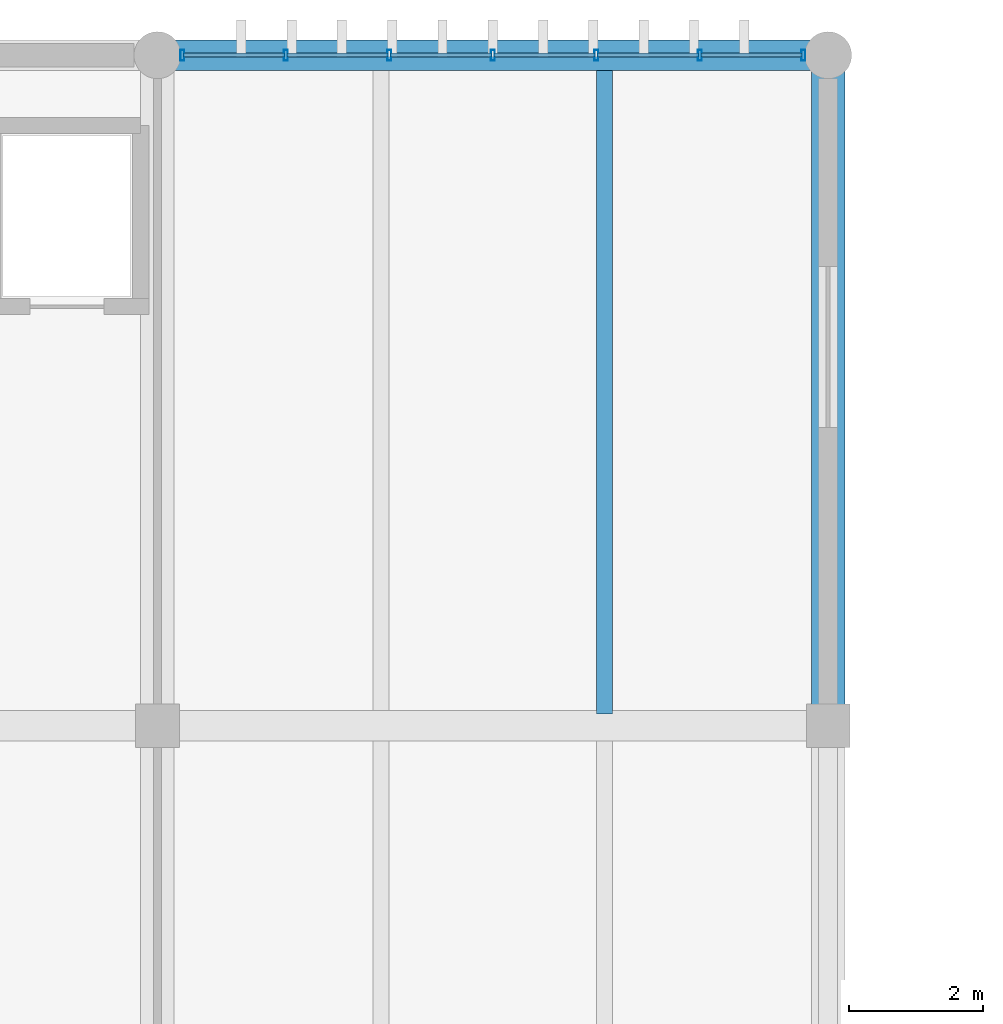
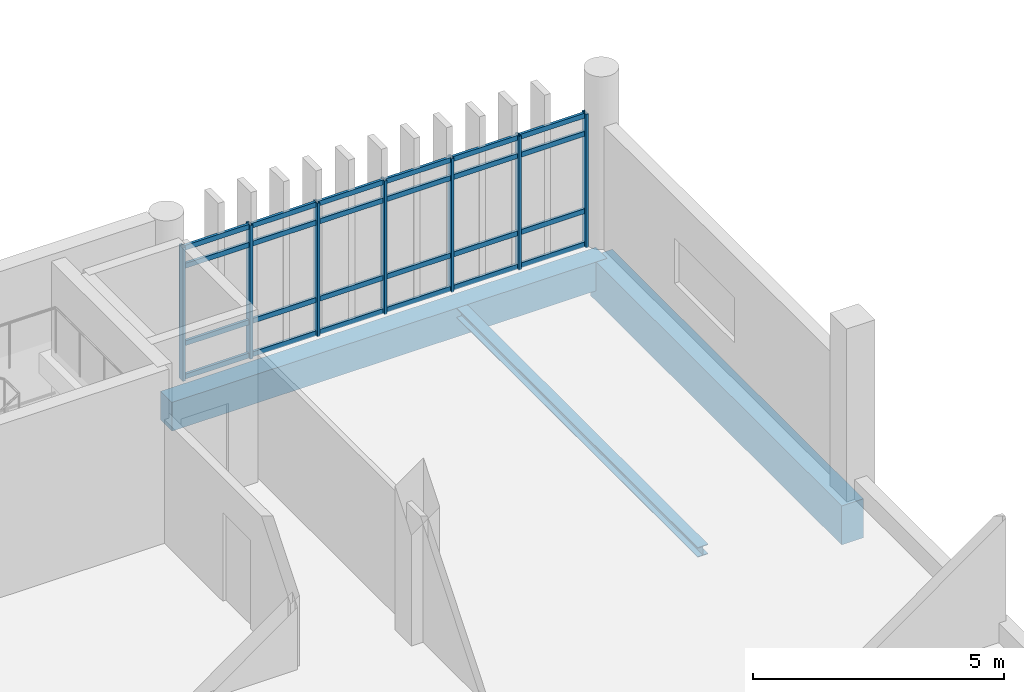
# One storey, part 41 of 82: 31 members, 3 beams, 1 element without a shape of its own.
"""IFC4 building model written with IfcOpenShell, lengths in metres."""

from ifc_helpers import new_model, si_unit, direction, frame, origin, origin_2d, place, context, subcontext, project, spatial, rectangle, hollow_rectangle, i_section, extrude, material, layer, layer_set, material_profile, profile_set, type_object, element, aggregate, save


model = new_model("IFC4")

# Units and contexts
model_context = context("Model", 3, precision=1e-05, world=origin(), true_north=direction((0.0, 1.0)))
body_context = subcontext(model_context, "Body", "Model", "MODEL_VIEW")
ifc_project = project(units=[si_unit("LENGTHUNIT", "METRE"), si_unit("AREAUNIT", "SQUARE_METRE"), si_unit("VOLUMEUNIT", "CUBIC_METRE"), si_unit("PLANEANGLEUNIT", "RADIAN"), si_unit("MASSUNIT", "GRAM", prefix="KILO")], contexts=[model_context])

# Site, building, storey
site_placement = place(None, origin())
site = spatial("IfcSite", under=ifc_project, at=site_placement, CompositionType="ELEMENT")
building_placement = place(site_placement, origin())
building = spatial("IfcBuilding", under=site, at=building_placement, Name="Mersad Railyard Sports Hall", CompositionType="ELEMENT")
storey_placement = place(building_placement, frame((0.0, 0.0, 13.199951171875)))
storey = spatial("IfcBuildingStorey", under=building, at=storey_placement, Name="L03", CompositionType="ELEMENT", Elevation=13.199951171875)

# Curtain wall, members
ifc_material_1 = material(Name="Aluminium 6063-T6", Category="aluminium")
ifc_layer = layer(ifc_material_1, 0.159912109375)
ifc_layer_set = layer_set([ifc_layer], Name="Aluminium 6063-T6")
curtain_wall_type = type_object("IfcCurtainWallType", Name="ARC-CW-CW58", PredefinedType="USERDEFINED", material=ifc_layer_set)
curtain_wall_placement = place(storey_placement, origin())
curtain_wall = element("IfcCurtainWall", 1, at=curtain_wall_placement, inside=storey, type_object=curtain_wall_type, Name="Curtain wall CW58-0154", ObjectType="CURTAIN WALL", PredefinedType="USERDEFINED")
ifc_material_profile_1 = material_profile(ifc_material_1, hollow_rectangle(XDim=0.06005859375, YDim=0.159912109375, WallThickness=0.00390625, at=origin_2d()), Name="AL MULLION 60x160x4")
ifc_profile_set_1 = profile_set([ifc_material_profile_1], Name="Aluminium 6063-T6")
member_type_1 = type_object("IfcMemberType", Name="ARC-CW-MUL01", PredefinedType="MULLION", material=ifc_profile_set_1)
member_1_placement = place(storey_placement, frame((121.3701171875, 115.0, -0.02001953125), z_axis=(0.0, 0.0, 1.0), x_axis=(1.0, 0.0, 0.0)))
member_1 = element("IfcMember", 2, at=member_1_placement, type_object=member_type_1, Name="CW58 Mullion 1", PredefinedType="MULLION", context=body_context, shape_type="SweptSolid", body=[
    extrude(hollow_rectangle(XDim=0.06005859375, YDim=0.159912109375, WallThickness=0.00390625, at=origin_2d()), origin(), (0.0, 0.0, 1.0), 3.25),
])
member_2_placement = place(storey_placement, frame((122.913330078125, 115.0, -0.02001953125), z_axis=(0.0, 0.0, 1.0), x_axis=(1.0, 0.0, 0.0)))
member_2 = element("IfcMember", 3, at=member_2_placement, type_object=member_type_1, Name="CW58 Mullion 2", PredefinedType="MULLION", context=body_context, shape_type="SweptSolid", body=[
    extrude(hollow_rectangle(XDim=0.06005859375, YDim=0.159912109375, WallThickness=0.00390625, at=origin_2d()), origin(), (0.0, 0.0, 1.0), 3.25),
])
member_3_placement = place(storey_placement, frame((124.456787109375, 115.0, -0.02001953125), z_axis=(0.0, 0.0, 1.0), x_axis=(1.0, 0.0, 0.0)))
member_3 = element("IfcMember", 4, at=member_3_placement, type_object=member_type_1, Name="CW58 Mullion 3", PredefinedType="MULLION", context=body_context, shape_type="SweptSolid", body=[
    extrude(hollow_rectangle(XDim=0.06005859375, YDim=0.159912109375, WallThickness=0.00390625, at=origin_2d()), origin(), (0.0, 0.0, 1.0), 3.25),
])
member_4_placement = place(storey_placement, frame((126.0, 115.0, -0.02001953125), z_axis=(0.0, 0.0, 1.0), x_axis=(1.0, 0.0, 0.0)))
member_4 = element("IfcMember", 5, at=member_4_placement, type_object=member_type_1, Name="CW58 Mullion 4", PredefinedType="MULLION", context=body_context, shape_type="SweptSolid", body=[
    extrude(hollow_rectangle(XDim=0.06005859375, YDim=0.159912109375, WallThickness=0.00390625, at=origin_2d()), origin(), (0.0, 0.0, 1.0), 3.25),
])
member_5_placement = place(storey_placement, frame((127.543212890625, 115.0, -0.02001953125), z_axis=(0.0, 0.0, 1.0), x_axis=(1.0, 0.0, 0.0)))
member_5 = element("IfcMember", 6, at=member_5_placement, type_object=member_type_1, Name="CW58 Mullion 5", PredefinedType="MULLION", context=body_context, shape_type="SweptSolid", body=[
    extrude(hollow_rectangle(XDim=0.06005859375, YDim=0.159912109375, WallThickness=0.00390625, at=origin_2d()), origin(), (0.0, 0.0, 1.0), 3.25),
])
member_6_placement = place(storey_placement, frame((129.086669921875, 115.0, -0.02001953125), z_axis=(0.0, 0.0, 1.0), x_axis=(1.0, 0.0, 0.0)))
member_6 = element("IfcMember", 7, at=member_6_placement, type_object=member_type_1, Name="CW58 Mullion 6", PredefinedType="MULLION", context=body_context, shape_type="SweptSolid", body=[
    extrude(hollow_rectangle(XDim=0.06005859375, YDim=0.159912109375, WallThickness=0.00390625, at=origin_2d()), origin(), (0.0, 0.0, 1.0), 3.25),
])
member_7_placement = place(storey_placement, frame((130.6298828125, 115.0, -0.02001953125), z_axis=(0.0, 0.0, 1.0), x_axis=(1.0, 0.0, 0.0)))
member_7 = element("IfcMember", 8, at=member_7_placement, type_object=member_type_1, Name="CW58 Mullion 7", PredefinedType="MULLION", context=body_context, shape_type="SweptSolid", body=[
    extrude(hollow_rectangle(XDim=0.06005859375, YDim=0.159912109375, WallThickness=0.00390625, at=origin_2d()), origin(), (0.0, 0.0, 1.0), 3.25),
])
ifc_material_profile_2 = material_profile(ifc_material_1, hollow_rectangle(XDim=0.06005859375, YDim=0.1201171875, WallThickness=0.00390625, at=origin_2d()), Name="AL TRANSOM 60x120x4")
ifc_profile_set_2 = profile_set([ifc_material_profile_2], Name="Aluminium 6063-T6")
member_type_2 = type_object("IfcMemberType", Name="ARC-CW-TRN01", PredefinedType="USERDEFINED", material=ifc_profile_set_2)
member_8_placement = place(storey_placement, frame((121.389892578125, 115.0, 0.0400390625), z_axis=(1.0, 0.0, 0.0), x_axis=(0.0, 1.0, 0.0)))
member_8 = element("IfcMember", 9, at=member_8_placement, type_object=member_type_2, Name="CW58 Transom 1-1", ObjectType="TRANSOM", PredefinedType="USERDEFINED", context=body_context, shape_type="SweptSolid", body=[
    extrude(hollow_rectangle(XDim=0.06005859375, YDim=0.1201171875, WallThickness=0.00390625, at=origin_2d()), origin(), (0.0, 0.0, 1.0), 1.50341796875),
])
member_9_placement = place(storey_placement, frame((122.933349609375, 115.0, 0.0400390625), z_axis=(1.0, 0.0, 0.0), x_axis=(0.0, 1.0, 0.0)))
member_9 = element("IfcMember", 10, at=member_9_placement, type_object=member_type_2, Name="CW58 Transom 1-2", ObjectType="TRANSOM", PredefinedType="USERDEFINED", context=body_context, shape_type="SweptSolid", body=[
    extrude(hollow_rectangle(XDim=0.06005859375, YDim=0.1201171875, WallThickness=0.00390625, at=origin_2d()), origin(), (0.0, 0.0, 1.0), 1.50341796875),
])
member_10_placement = place(storey_placement, frame((124.4765625, 115.0, 0.0400390625), z_axis=(1.0, 0.0, 0.0), x_axis=(0.0, 1.0, 0.0)))
member_10 = element("IfcMember", 11, at=member_10_placement, type_object=member_type_2, Name="CW58 Transom 1-3", ObjectType="TRANSOM", PredefinedType="USERDEFINED", context=body_context, shape_type="SweptSolid", body=[
    extrude(hollow_rectangle(XDim=0.06005859375, YDim=0.1201171875, WallThickness=0.00390625, at=origin_2d()), origin(), (0.0, 0.0, 1.0), 1.50341796875),
])
member_11_placement = place(storey_placement, frame((126.02001953125, 115.0, 0.0400390625), z_axis=(1.0, 0.0, 0.0), x_axis=(0.0, 1.0, 0.0)))
member_11 = element("IfcMember", 12, at=member_11_placement, type_object=member_type_2, Name="CW58 Transom 1-4", ObjectType="TRANSOM", PredefinedType="USERDEFINED", context=body_context, shape_type="SweptSolid", body=[
    extrude(hollow_rectangle(XDim=0.06005859375, YDim=0.1201171875, WallThickness=0.00390625, at=origin_2d()), origin(), (0.0, 0.0, 1.0), 1.50341796875),
])
member_12_placement = place(storey_placement, frame((127.563232421875, 115.0, 0.0400390625), z_axis=(1.0, 0.0, 0.0), x_axis=(0.0, 1.0, 0.0)))
member_12 = element("IfcMember", 13, at=member_12_placement, type_object=member_type_2, Name="CW58 Transom 1-5", ObjectType="TRANSOM", PredefinedType="USERDEFINED", context=body_context, shape_type="SweptSolid", body=[
    extrude(hollow_rectangle(XDim=0.06005859375, YDim=0.1201171875, WallThickness=0.00390625, at=origin_2d()), origin(), (0.0, 0.0, 1.0), 1.50341796875),
])
member_13_placement = place(storey_placement, frame((129.106689453125, 115.0, 0.0400390625), z_axis=(1.0, 0.0, 0.0), x_axis=(0.0, 1.0, 0.0)))
member_13 = element("IfcMember", 14, at=member_13_placement, type_object=member_type_2, Name="CW58 Transom 1-6", ObjectType="TRANSOM", PredefinedType="USERDEFINED", context=body_context, shape_type="SweptSolid", body=[
    extrude(hollow_rectangle(XDim=0.06005859375, YDim=0.1201171875, WallThickness=0.00390625, at=origin_2d()), origin(), (0.0, 0.0, 1.0), 1.50341796875),
])
member_14_placement = place(storey_placement, frame((121.389892578125, 115.0, 0.85009765625), z_axis=(1.0, 0.0, 0.0), x_axis=(0.0, 1.0, 0.0)))
member_14 = element("IfcMember", 15, at=member_14_placement, type_object=member_type_2, Name="CW58 Transom 2-1", ObjectType="TRANSOM", PredefinedType="USERDEFINED", context=body_context, shape_type="SweptSolid", body=[
    extrude(hollow_rectangle(XDim=0.06005859375, YDim=0.1201171875, WallThickness=0.00390625, at=origin_2d()), origin(), (0.0, 0.0, 1.0), 1.50341796875),
])
member_15_placement = place(storey_placement, frame((122.933349609375, 115.0, 0.85009765625), z_axis=(1.0, 0.0, 0.0), x_axis=(0.0, 1.0, 0.0)))
member_15 = element("IfcMember", 16, at=member_15_placement, type_object=member_type_2, Name="CW58 Transom 2-2", ObjectType="TRANSOM", PredefinedType="USERDEFINED", context=body_context, shape_type="SweptSolid", body=[
    extrude(hollow_rectangle(XDim=0.06005859375, YDim=0.1201171875, WallThickness=0.00390625, at=origin_2d()), origin(), (0.0, 0.0, 1.0), 1.50341796875),
])
member_16_placement = place(storey_placement, frame((124.4765625, 115.0, 0.85009765625), z_axis=(1.0, 0.0, 0.0), x_axis=(0.0, 1.0, 0.0)))
member_16 = element("IfcMember", 17, at=member_16_placement, type_object=member_type_2, Name="CW58 Transom 2-3", ObjectType="TRANSOM", PredefinedType="USERDEFINED", context=body_context, shape_type="SweptSolid", body=[
    extrude(hollow_rectangle(XDim=0.06005859375, YDim=0.1201171875, WallThickness=0.00390625, at=origin_2d()), origin(), (0.0, 0.0, 1.0), 1.50341796875),
])
member_17_placement = place(storey_placement, frame((126.02001953125, 115.0, 0.85009765625), z_axis=(1.0, 0.0, 0.0), x_axis=(0.0, 1.0, 0.0)))
member_17 = element("IfcMember", 18, at=member_17_placement, type_object=member_type_2, Name="CW58 Transom 2-4", ObjectType="TRANSOM", PredefinedType="USERDEFINED", context=body_context, shape_type="SweptSolid", body=[
    extrude(hollow_rectangle(XDim=0.06005859375, YDim=0.1201171875, WallThickness=0.00390625, at=origin_2d()), origin(), (0.0, 0.0, 1.0), 1.50341796875),
])
member_18_placement = place(storey_placement, frame((127.563232421875, 115.0, 0.85009765625), z_axis=(1.0, 0.0, 0.0), x_axis=(0.0, 1.0, 0.0)))
member_18 = element("IfcMember", 19, at=member_18_placement, type_object=member_type_2, Name="CW58 Transom 2-5", ObjectType="TRANSOM", PredefinedType="USERDEFINED", context=body_context, shape_type="SweptSolid", body=[
    extrude(hollow_rectangle(XDim=0.06005859375, YDim=0.1201171875, WallThickness=0.00390625, at=origin_2d()), origin(), (0.0, 0.0, 1.0), 1.50341796875),
])
member_19_placement = place(storey_placement, frame((129.106689453125, 115.0, 0.85009765625), z_axis=(1.0, 0.0, 0.0), x_axis=(0.0, 1.0, 0.0)))
member_19 = element("IfcMember", 20, at=member_19_placement, type_object=member_type_2, Name="CW58 Transom 2-6", ObjectType="TRANSOM", PredefinedType="USERDEFINED", context=body_context, shape_type="SweptSolid", body=[
    extrude(hollow_rectangle(XDim=0.06005859375, YDim=0.1201171875, WallThickness=0.00390625, at=origin_2d()), origin(), (0.0, 0.0, 1.0), 1.50341796875),
])
member_20_placement = place(storey_placement, frame((121.389892578125, 115.0, 2.72998046875), z_axis=(1.0, 0.0, 0.0), x_axis=(0.0, 1.0, 0.0)))
member_20 = element("IfcMember", 21, at=member_20_placement, type_object=member_type_2, Name="CW58 Transom 3-1", ObjectType="TRANSOM", PredefinedType="USERDEFINED", context=body_context, shape_type="SweptSolid", body=[
    extrude(hollow_rectangle(XDim=0.06005859375, YDim=0.1201171875, WallThickness=0.00390625, at=origin_2d()), origin(), (0.0, 0.0, 1.0), 1.50341796875),
])
member_21_placement = place(storey_placement, frame((122.933349609375, 115.0, 2.72998046875), z_axis=(1.0, 0.0, 0.0), x_axis=(0.0, 1.0, 0.0)))
member_21 = element("IfcMember", 22, at=member_21_placement, type_object=member_type_2, Name="CW58 Transom 3-2", ObjectType="TRANSOM", PredefinedType="USERDEFINED", context=body_context, shape_type="SweptSolid", body=[
    extrude(hollow_rectangle(XDim=0.06005859375, YDim=0.1201171875, WallThickness=0.00390625, at=origin_2d()), origin(), (0.0, 0.0, 1.0), 1.50341796875),
])
member_22_placement = place(storey_placement, frame((124.4765625, 115.0, 2.72998046875), z_axis=(1.0, 0.0, 0.0), x_axis=(0.0, 1.0, 0.0)))
member_22 = element("IfcMember", 23, at=member_22_placement, type_object=member_type_2, Name="CW58 Transom 3-3", ObjectType="TRANSOM", PredefinedType="USERDEFINED", context=body_context, shape_type="SweptSolid", body=[
    extrude(hollow_rectangle(XDim=0.06005859375, YDim=0.1201171875, WallThickness=0.00390625, at=origin_2d()), origin(), (0.0, 0.0, 1.0), 1.50341796875),
])
member_23_placement = place(storey_placement, frame((126.02001953125, 115.0, 2.72998046875), z_axis=(1.0, 0.0, 0.0), x_axis=(0.0, 1.0, 0.0)))
member_23 = element("IfcMember", 24, at=member_23_placement, type_object=member_type_2, Name="CW58 Transom 3-4", ObjectType="TRANSOM", PredefinedType="USERDEFINED", context=body_context, shape_type="SweptSolid", body=[
    extrude(hollow_rectangle(XDim=0.06005859375, YDim=0.1201171875, WallThickness=0.00390625, at=origin_2d()), origin(), (0.0, 0.0, 1.0), 1.50341796875),
])
member_24_placement = place(storey_placement, frame((127.563232421875, 115.0, 2.72998046875), z_axis=(1.0, 0.0, 0.0), x_axis=(0.0, 1.0, 0.0)))
member_24 = element("IfcMember", 25, at=member_24_placement, type_object=member_type_2, Name="CW58 Transom 3-5", ObjectType="TRANSOM", PredefinedType="USERDEFINED", context=body_context, shape_type="SweptSolid", body=[
    extrude(hollow_rectangle(XDim=0.06005859375, YDim=0.1201171875, WallThickness=0.00390625, at=origin_2d()), origin(), (0.0, 0.0, 1.0), 1.50341796875),
])
member_25_placement = place(storey_placement, frame((129.106689453125, 115.0, 2.72998046875), z_axis=(1.0, 0.0, 0.0), x_axis=(0.0, 1.0, 0.0)))
member_25 = element("IfcMember", 26, at=member_25_placement, type_object=member_type_2, Name="CW58 Transom 3-6", ObjectType="TRANSOM", PredefinedType="USERDEFINED", context=body_context, shape_type="SweptSolid", body=[
    extrude(hollow_rectangle(XDim=0.06005859375, YDim=0.1201171875, WallThickness=0.00390625, at=origin_2d()), origin(), (0.0, 0.0, 1.0), 1.50341796875),
])
member_26_placement = place(storey_placement, frame((121.389892578125, 115.0, 3.170166015625), z_axis=(1.0, 0.0, 0.0), x_axis=(0.0, 1.0, 0.0)))
member_26 = element("IfcMember", 27, at=member_26_placement, type_object=member_type_2, Name="CW58 Transom 4-1", ObjectType="TRANSOM", PredefinedType="USERDEFINED", context=body_context, shape_type="SweptSolid", body=[
    extrude(hollow_rectangle(XDim=0.06005859375, YDim=0.1201171875, WallThickness=0.00390625, at=origin_2d()), origin(), (0.0, 0.0, 1.0), 1.50341796875),
])
member_27_placement = place(storey_placement, frame((122.933349609375, 115.0, 3.170166015625), z_axis=(1.0, 0.0, 0.0), x_axis=(0.0, 1.0, 0.0)))
member_27 = element("IfcMember", 28, at=member_27_placement, type_object=member_type_2, Name="CW58 Transom 4-2", ObjectType="TRANSOM", PredefinedType="USERDEFINED", context=body_context, shape_type="SweptSolid", body=[
    extrude(hollow_rectangle(XDim=0.06005859375, YDim=0.1201171875, WallThickness=0.00390625, at=origin_2d()), origin(), (0.0, 0.0, 1.0), 1.50341796875),
])
member_28_placement = place(storey_placement, frame((124.4765625, 115.0, 3.170166015625), z_axis=(1.0, 0.0, 0.0), x_axis=(0.0, 1.0, 0.0)))
member_28 = element("IfcMember", 29, at=member_28_placement, type_object=member_type_2, Name="CW58 Transom 4-3", ObjectType="TRANSOM", PredefinedType="USERDEFINED", context=body_context, shape_type="SweptSolid", body=[
    extrude(hollow_rectangle(XDim=0.06005859375, YDim=0.1201171875, WallThickness=0.00390625, at=origin_2d()), origin(), (0.0, 0.0, 1.0), 1.50341796875),
])
member_29_placement = place(storey_placement, frame((126.02001953125, 115.0, 3.170166015625), z_axis=(1.0, 0.0, 0.0), x_axis=(0.0, 1.0, 0.0)))
member_29 = element("IfcMember", 30, at=member_29_placement, type_object=member_type_2, Name="CW58 Transom 4-4", ObjectType="TRANSOM", PredefinedType="USERDEFINED", context=body_context, shape_type="SweptSolid", body=[
    extrude(hollow_rectangle(XDim=0.06005859375, YDim=0.1201171875, WallThickness=0.00390625, at=origin_2d()), origin(), (0.0, 0.0, 1.0), 1.50341796875),
])
member_30_placement = place(storey_placement, frame((127.563232421875, 115.0, 3.170166015625), z_axis=(1.0, 0.0, 0.0), x_axis=(0.0, 1.0, 0.0)))
member_30 = element("IfcMember", 31, at=member_30_placement, type_object=member_type_2, Name="CW58 Transom 4-5", ObjectType="TRANSOM", PredefinedType="USERDEFINED", context=body_context, shape_type="SweptSolid", body=[
    extrude(hollow_rectangle(XDim=0.06005859375, YDim=0.1201171875, WallThickness=0.00390625, at=origin_2d()), origin(), (0.0, 0.0, 1.0), 1.50341796875),
])
member_31_placement = place(storey_placement, frame((129.106689453125, 115.0, 3.170166015625), z_axis=(1.0, 0.0, 0.0), x_axis=(0.0, 1.0, 0.0)))
member_31 = element("IfcMember", 32, at=member_31_placement, type_object=member_type_2, Name="CW58 Transom 4-6", ObjectType="TRANSOM", PredefinedType="USERDEFINED", context=body_context, shape_type="SweptSolid", body=[
    extrude(hollow_rectangle(XDim=0.06005859375, YDim=0.1201171875, WallThickness=0.00390625, at=origin_2d()), origin(), (0.0, 0.0, 1.0), 1.50341796875),
])
aggregate(curtain_wall, [member_1, member_2, member_3, member_4, member_5, member_6, member_7, member_8, member_9, member_10, member_11, member_12, member_13, member_14, member_15, member_16, member_17, member_18, member_19, member_20, member_21, member_22, member_23, member_24, member_25, member_26, member_27, member_28, member_29, member_30, member_31])

# Beams
ifc_material_2 = material(Name="Concrete C50/60", Category="concrete")
ifc_material_profile_3 = material_profile(ifc_material_2, rectangle(XDim=0.5, YDim=0.949951171875, at=origin_2d()), Name="RC 500x950")
ifc_profile_set_3 = profile_set([ifc_material_profile_3], Name="Concrete C50/60")
beam_type_1 = type_object("IfcBeamType", Name="STR-BM-B03", PredefinedType="BEAM", material=ifc_profile_set_3)
beam_1_placement = place(storey_placement, frame((131.0, 105.0, -0.794921875), z_axis=(0.0, 1.0, 0.0), x_axis=(-1.0, 0.0, 0.0)))
element("IfcBeam", 33, at=beam_1_placement, inside=storey, type_object=beam_type_1, Name="Beam B03-1270", PredefinedType="BEAM", context=body_context, shape_type="SweptSolid", body=[
    extrude(rectangle(XDim=0.5, YDim=0.949951171875, at=origin_2d()), origin(), (0.0, 0.0, 1.0), 10.0),
])
ifc_material_3 = material(Name="Steel S355", Category="steel")
ifc_material_profile_4 = material_profile(ifc_material_3, i_section(OverallWidth=0.239990234375, OverallDepth=0.239990234375, WebThickness=0.010009765625, FlangeThickness=0.01708984375, at=origin_2d()), Name="HEB 240")
ifc_profile_set_4 = profile_set([ifc_material_profile_4], Name="Steel S355")
beam_type_2 = type_object("IfcBeamType", Name="STR-BM-SB04", PredefinedType="BEAM", material=ifc_profile_set_4)
beam_2_placement = place(storey_placement, frame((127.6669921875, 105.179931640625, -0.43994140625), z_axis=(0.0, 1.0, 0.0), x_axis=(-1.0, 0.0, 0.0)))
element("IfcBeam", 34, at=beam_2_placement, inside=storey, type_object=beam_type_2, Name="Beam SB04-1313", PredefinedType="BEAM", context=body_context, shape_type="SweptSolid", body=[
    extrude(i_section(OverallWidth=0.239990234375, OverallDepth=0.239990234375, WebThickness=0.010009765625, FlangeThickness=0.01708984375, at=origin_2d()), origin(), (0.0, 0.0, 1.0), 9.64013671875),
])
ifc_material_4 = material(Name="Architectural concrete C40/50", Category="concrete")
ifc_material_profile_5 = material_profile(ifc_material_4, rectangle(XDim=0.449951171875, YDim=0.699951171875, at=origin_2d()), Name="RC 450x700")
ifc_profile_set_5 = profile_set([ifc_material_profile_5], Name="Architectural concrete C40/50")
beam_type_3 = type_object("IfcBeamType", Name="STR-BM-SP01", PredefinedType="SPANDREL", material=ifc_profile_set_5)
beam_3_placement = place(storey_placement, frame((121.0, 115.0, -0.669921875), z_axis=(1.0, 0.0, 0.0), x_axis=(0.0, 1.0, 0.0)))
element("IfcBeam", 35, at=beam_3_placement, inside=storey, type_object=beam_type_3, Name="Beam SP01-1243", PredefinedType="SPANDREL", context=body_context, shape_type="SweptSolid", body=[
    extrude(rectangle(XDim=0.449951171875, YDim=0.699951171875, at=origin_2d()), origin(), (0.0, 0.0, 1.0), 10.0),
])

save(model, "model.ifc")
